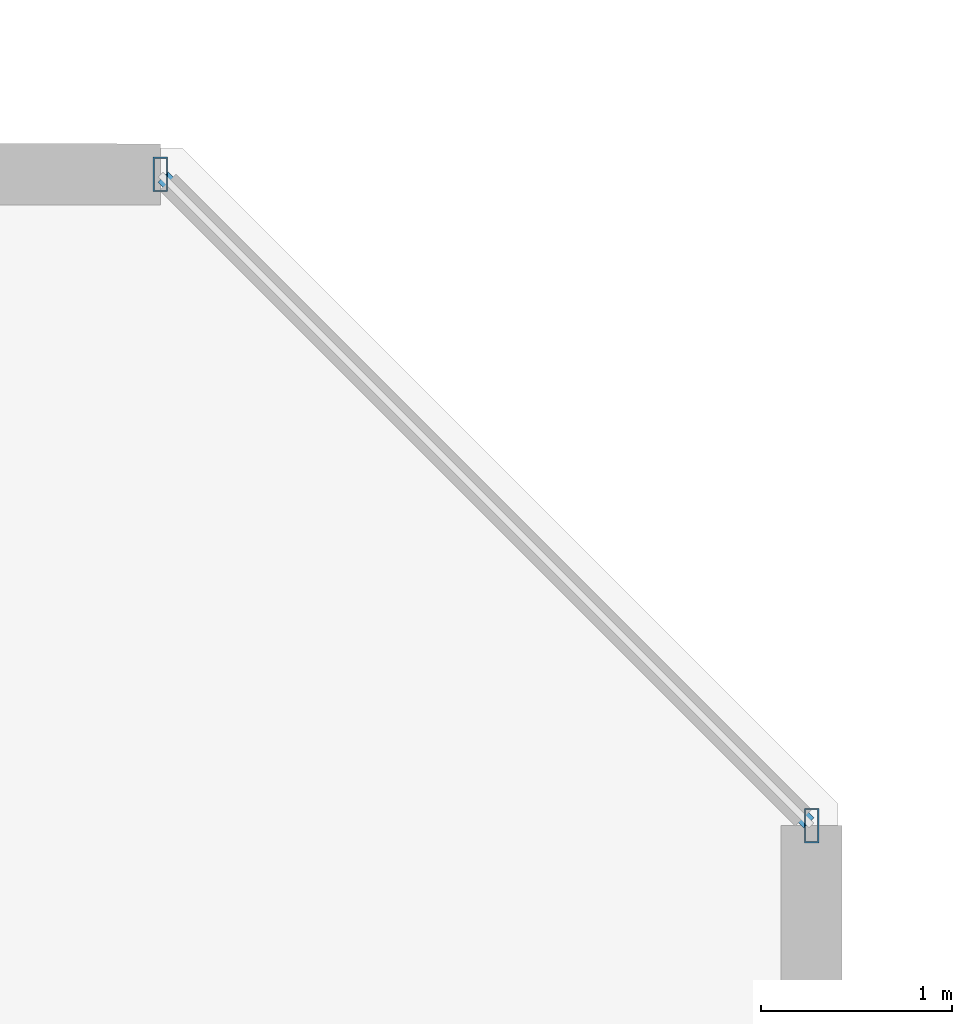
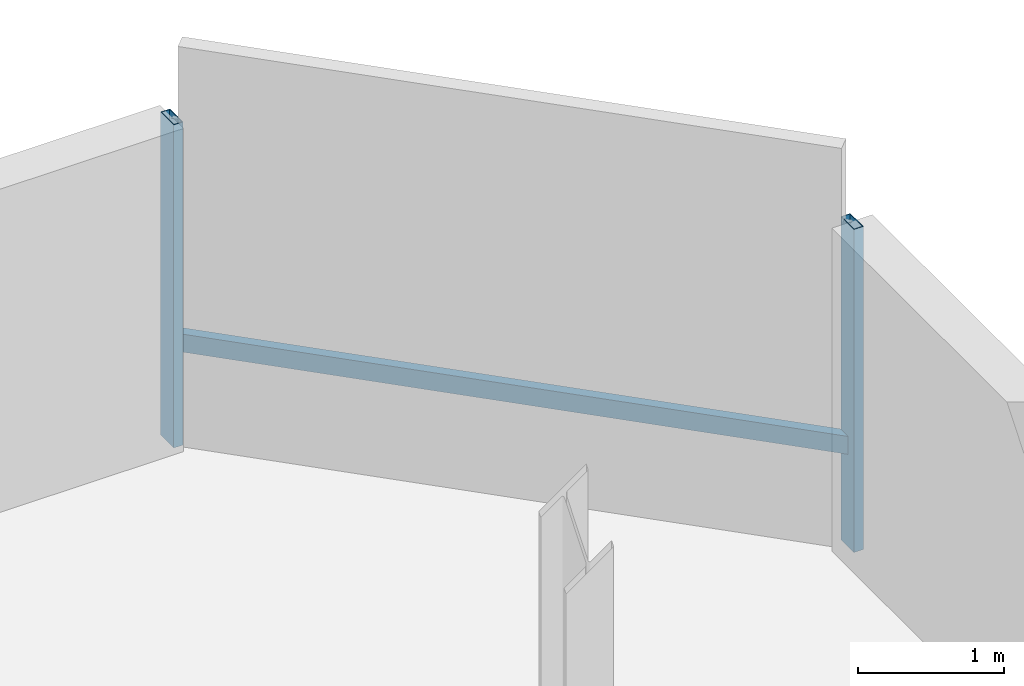
# One storey, part 12 of 35: 3 members, 1 element without a shape of its own.
"""IFC4 building model written with IfcOpenShell, lengths in metres."""

from ifc_helpers import new_model, si_unit, direction, frame, origin, origin_2d, place, context, subcontext, project, spatial, hollow_rectangle, extrude, material, material_profile, profile_set, type_object, element, aggregate, save


model = new_model("IFC4")

# Units and contexts
model_context = context("Model", 3, precision=1e-05, world=origin(), true_north=direction((0.0, 1.0)))
body_context = subcontext(model_context, "Body", "Model", "MODEL_VIEW")
ifc_project = project(units=[si_unit("LENGTHUNIT", "METRE"), si_unit("AREAUNIT", "SQUARE_METRE"), si_unit("VOLUMEUNIT", "CUBIC_METRE"), si_unit("PLANEANGLEUNIT", "RADIAN"), si_unit("MASSUNIT", "GRAM", prefix="KILO")], contexts=[model_context])

# Site, building, storey
site_placement = place(None, origin())
site = spatial("IfcSite", under=ifc_project, at=site_placement, CompositionType="ELEMENT")
building_placement = place(site_placement, origin())
building = spatial("IfcBuilding", under=site, at=building_placement, Name="Thornwick Lancets Civic Towers", CompositionType="ELEMENT")
storey_placement = place(building_placement, frame((0.0, 0.0, 265.5)))
storey = spatial("IfcBuildingStorey", under=building, at=storey_placement, Name="L71", CompositionType="ELEMENT", Elevation=265.5)

# Curtain wall, members
ifc_material_1 = material(Name="High-zone chamfered-corner unitised glass curtain wall", Category="glass")
curtain_wall_type = type_object("IfcCurtainWallType", Name="CW_SYS_05", PredefinedType="NOTDEFINED", material=ifc_material_1)
curtain_wall_placement = place(storey_placement, origin())
curtain_wall = element("IfcCurtainWall", 1, at=curtain_wall_placement, inside=storey, type_object=curtain_wall_type, Name="L71 Curtain Wall CW-L71-A-E3", PredefinedType="NOTDEFINED")
ifc_material_2 = material(Name="Thermally broken bronze aluminium S355", Category="steel")
ifc_material_profile_1 = material_profile(ifc_material_2, hollow_rectangle(XDim=0.074951171875, YDim=0.179931640625, WallThickness=0.006103515625, at=origin_2d()), Name="RHS 180x75x6")
ifc_profile_set_1 = profile_set([ifc_material_profile_1], Name="Thermally broken bronze aluminium S355")
member_type_1 = type_object("IfcMemberType", Name="CW_MUL_180", PredefinedType="MULLION", material=ifc_profile_set_1)
member_1_placement = place(storey_placement, frame((49.261962890625, 41.353515625, 0.0), z_axis=(0.0, 0.0, 1.0), x_axis=(1.0, 0.0, 0.0)))
member_1 = element("IfcMember", 2, at=member_1_placement, type_object=member_type_1, Name="CW-L71-A-E3 Mullion 0", PredefinedType="MULLION", context=body_context, shape_type="SweptSolid", body=[
    extrude(hollow_rectangle(XDim=0.074951171875, YDim=0.179931640625, WallThickness=0.006103515625, at=origin_2d()), origin(), (0.0, 0.0, 1.0), 2.699951171875),
])
member_2_placement = place(storey_placement, frame((45.853515625, 44.761962890625, 0.0), z_axis=(0.0, 0.0, 1.0), x_axis=(1.0, 0.0, 0.0)))
member_2 = element("IfcMember", 3, at=member_2_placement, type_object=member_type_1, Name="CW-L71-A-E3 Mullion 1", PredefinedType="MULLION", context=body_context, shape_type="SweptSolid", body=[
    extrude(hollow_rectangle(XDim=0.074951171875, YDim=0.179931640625, WallThickness=0.006103515625, at=origin_2d()), origin(), (0.0, 0.0, 1.0), 2.699951171875),
])
ifc_material_profile_2 = material_profile(ifc_material_2, hollow_rectangle(XDim=0.074951171875, YDim=0.14990234375, WallThickness=0.0048828125, at=origin_2d()), Name="RHS 150x75x5")
ifc_profile_set_2 = profile_set([ifc_material_profile_2], Name="Thermally broken bronze aluminium S355")
member_type_2 = type_object("IfcMemberType", Name="CW_TRN_150", PredefinedType="USERDEFINED", material=ifc_profile_set_2)
member_3_placement = place(storey_placement, frame((49.247802734375, 41.36767578125, 0.85009765625), z_axis=(-0.707106781187, 0.707106781187, 0.0), x_axis=(-0.707106781187, -0.707106781187, 0.0)))
member_3 = element("IfcMember", 4, at=member_3_placement, type_object=member_type_2, Name="CW-L71-A-E3 Transom 0", ObjectType="TRANSOM", PredefinedType="USERDEFINED", context=body_context, shape_type="SweptSolid", body=[
    extrude(hollow_rectangle(XDim=0.074951171875, YDim=0.14990234375, WallThickness=0.0048828125, at=origin_2d()), origin(), (0.0, 0.0, 1.0), 4.7802734375),
])
aggregate(curtain_wall, [member_1, member_2, member_3])

save(model, "model.ifc")
